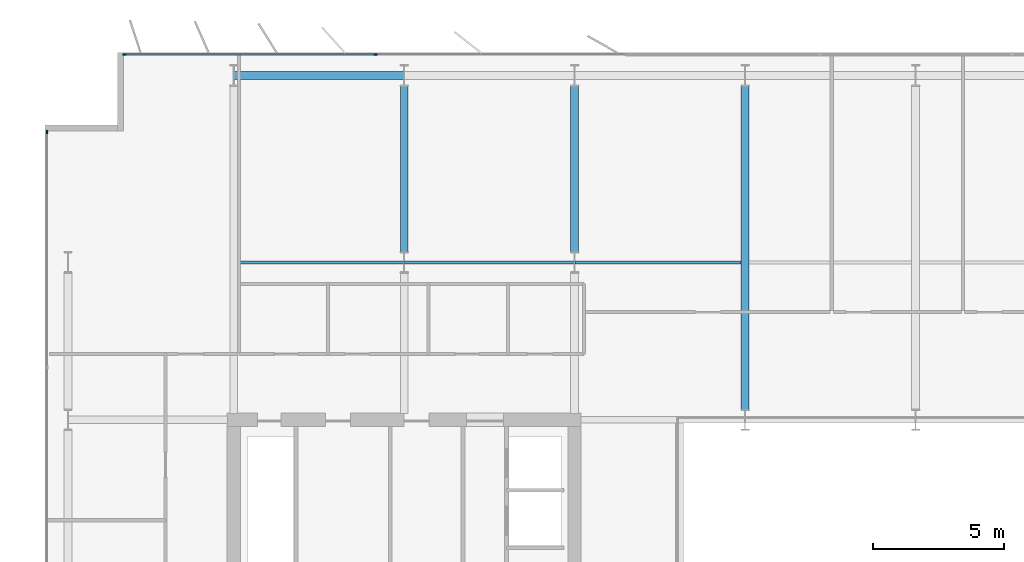
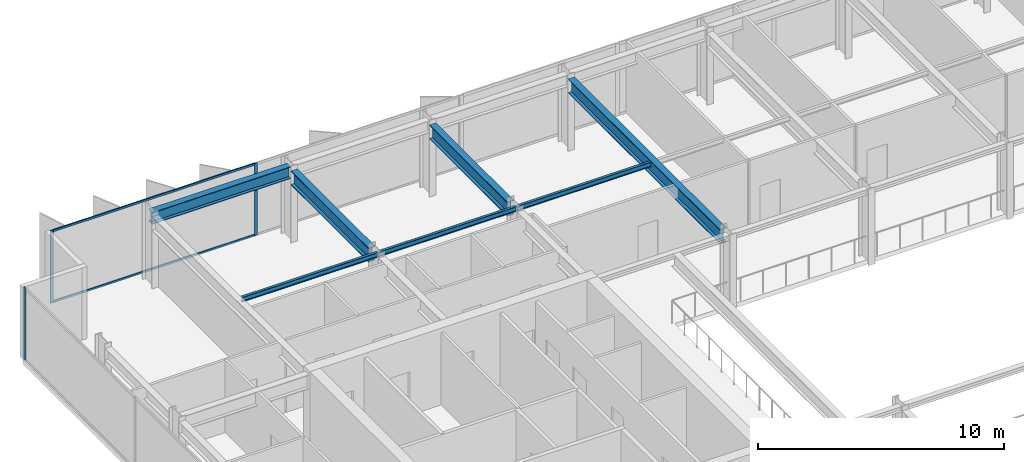
# One storey, part 10 of 23: 7 beams, 5 members, 2 elements without a shape of their own.
"""IFC4 building model written with IfcOpenShell, lengths in metres."""

from ifc_helpers import new_model, si_unit, direction, frame, origin, origin_2d, place, context, subcontext, project, spatial, rectangle, i_section, extrude, material, layer, layer_set, material_profile, profile_set, type_object, element, aggregate, save


model = new_model("IFC4")

# Units and contexts
model_context = context("Model", 3, precision=1e-05, world=origin(), true_north=direction((0.0, 1.0)))
body_context = subcontext(model_context, "Body", "Model", "MODEL_VIEW")
ifc_project = project(units=[si_unit("LENGTHUNIT", "METRE"), si_unit("AREAUNIT", "SQUARE_METRE"), si_unit("VOLUMEUNIT", "CUBIC_METRE"), si_unit("PLANEANGLEUNIT", "RADIAN"), si_unit("MASSUNIT", "GRAM", prefix="KILO")], contexts=[model_context])

# Site, building, storey
site_placement = place(None, origin())
site = spatial("IfcSite", under=ifc_project, at=site_placement, CompositionType="ELEMENT")
building_placement = place(site_placement, origin())
building = spatial("IfcBuilding", under=site, at=building_placement, Name="Putna Gate Headquarters", CompositionType="ELEMENT")
storey_placement = place(building_placement, frame((0.0, 0.0, 232.800048828125)))
storey = spatial("IfcBuildingStorey", under=building, at=storey_placement, Name="L58", CompositionType="ELEMENT", Elevation=232.800048828125)

# Beams
ifc_material_1 = material(Name="Steel S355J2", Category="steel")
ifc_material_profile_1 = material_profile(ifc_material_1, i_section(OverallWidth=0.300048828125, OverallDepth=0.699951171875, WebThickness=0.01708984375, FlangeThickness=0.031982421875, at=origin_2d()), Name="Steel S355J2")
ifc_profile_set_1 = profile_set([ifc_material_profile_1], Name="Steel S355J2")
beam_type_1 = type_object("IfcBeamType", Name="BM-GIRD-B-HEB700", PredefinedType="USERDEFINED", material=ifc_profile_set_1)
for number, where, z_axis, x_axis, name in (
    (1, (19.5, 39.39501953125, 3.22998046875), (0.0, 1.0, 0.0), (-1.0, 0.0, 0.0), "L58 North Primary Girder X19-2"),
    (2, (26.0, 39.39501953125, 3.22998046875), (0.0, 1.0, 0.0), (-1.0, 0.0, 0.0), "L58 North Primary Girder X26-2"),
):
    element("IfcBeam", number, at=place(storey_placement, frame(where, z_axis=z_axis, x_axis=x_axis)), inside=storey, type_object=beam_type_1, Name=name, ObjectType="GIRDER", PredefinedType="USERDEFINED", context=body_context, shape_type="SweptSolid", body=[
        extrude(i_section(OverallWidth=0.300048828125, OverallDepth=0.699951171875, WebThickness=0.01708984375, FlangeThickness=0.031982421875, at=origin_2d()), origin(), (0.0, 0.0, 1.0), 6.330078125),
    ])
beam_1_placement = place(storey_placement, frame((32.5, 33.39501953125, 3.22998046875), z_axis=(0.0, 1.0, 0.0), x_axis=(-1.0, 0.0, 0.0)))
element("IfcBeam", 3, at=beam_1_placement, inside=storey, type_object=beam_type_1, Name="L58 North Primary Girder X32", ObjectType="GIRDER", PredefinedType="USERDEFINED", context=body_context, shape_type="SweptSolid", body=[
    extrude(i_section(OverallWidth=0.300048828125, OverallDepth=0.699951171875, WebThickness=0.01708984375, FlangeThickness=0.031982421875, at=origin_2d()), origin(), (0.0, 0.0, 1.0), 12.330078125),
])
ifc_material_profile_2 = material_profile(ifc_material_1, i_section(OverallWidth=0.1201171875, OverallDepth=0.239990234375, WebThickness=0.006103515625, FlangeThickness=0.009765625, at=origin_2d()), Name="Steel S355J2")
ifc_profile_set_2 = profile_set([ifc_material_profile_2], Name="Steel S355J2")
beam_type_2 = type_object("IfcBeamType", Name="BM-SEC-Z4-IPE240", PredefinedType="JOIST", material=ifc_profile_set_2)
beam_2_placement = place(storey_placement, frame((13.154052734375, 39.0, 3.4599609375), z_axis=(1.0, 0.0, 0.0), x_axis=(0.0, 1.0, 0.0)))
element("IfcBeam", 4, at=beam_2_placement, inside=storey, type_object=beam_type_2, Name="L58 North Secondary Beam 1", PredefinedType="JOIST", context=body_context, shape_type="SweptSolid", body=[
    extrude(i_section(OverallWidth=0.1201171875, OverallDepth=0.239990234375, WebThickness=0.006103515625, FlangeThickness=0.009765625, at=origin_2d()), origin(), (0.0, 0.0, 1.0), 6.33984375),
])
beam_3_placement = place(storey_placement, frame((19.506103515625, 39.0, 3.4599609375), z_axis=(1.0, 0.0, 0.0), x_axis=(0.0, 1.0, 0.0)))
element("IfcBeam", 5, at=beam_3_placement, inside=storey, type_object=beam_type_2, Name="L58 North Secondary Beam 2", PredefinedType="JOIST", context=body_context, shape_type="SweptSolid", body=[
    extrude(i_section(OverallWidth=0.1201171875, OverallDepth=0.239990234375, WebThickness=0.006103515625, FlangeThickness=0.009765625, at=origin_2d()), origin(), (0.0, 0.0, 1.0), 6.48779296875),
])
beam_4_placement = place(storey_placement, frame((26.006103515625, 39.0, 3.4599609375), z_axis=(1.0, 0.0, 0.0), x_axis=(0.0, 1.0, 0.0)))
element("IfcBeam", 6, at=beam_4_placement, inside=storey, type_object=beam_type_2, Name="L58 North Secondary Beam 3", PredefinedType="JOIST", context=body_context, shape_type="SweptSolid", body=[
    extrude(i_section(OverallWidth=0.1201171875, OverallDepth=0.239990234375, WebThickness=0.006103515625, FlangeThickness=0.009765625, at=origin_2d()), origin(), (0.0, 0.0, 1.0), 6.33984375),
])
ifc_material_profile_3 = material_profile(ifc_material_1, i_section(OverallWidth=0.300048828125, OverallDepth=0.590087890625, WebThickness=0.012939453125, FlangeThickness=0.02490234375, at=origin_2d()), Name="Steel S355J2")
ifc_profile_set_3 = profile_set([ifc_material_profile_3], Name="Steel S355J2")
beam_type_3 = type_object("IfcBeamType", Name="BM-SPAN-Z4-HEA600", PredefinedType="SPANDREL", material=ifc_profile_set_3)
beam_5_placement = place(storey_placement, frame((13.006103515625, 46.1201171875, 3.284912109375), z_axis=(1.0, 0.0, 0.0), x_axis=(0.0, 1.0, 0.0)))
element("IfcBeam", 7, at=beam_5_placement, inside=storey, type_object=beam_type_3, Name="L58 N Perimeter Spandrel 1", PredefinedType="SPANDREL", context=body_context, shape_type="SweptSolid", body=[
    extrude(i_section(OverallWidth=0.300048828125, OverallDepth=0.590087890625, WebThickness=0.012939453125, FlangeThickness=0.02490234375, at=origin_2d()), origin(), (0.0, 0.0, 1.0), 6.48779296875),
])

# Curtain wall, members
ifc_material_2 = material(Name="Anodised bronze aluminium curtain wall", Category="aluminium")
ifc_layer = layer(ifc_material_2, 0.139892578125)
ifc_layer_set = layer_set([ifc_layer], Name="Anodised bronze aluminium curtain wall")
curtain_wall_type = type_object("IfcCurtainWallType", Name="CW-SYS-Z4", PredefinedType="USERDEFINED", material=ifc_layer_set)
curtain_wall_1_placement = place(storey_placement, origin())
curtain_wall_1 = element("IfcCurtainWall", 8, at=curtain_wall_1_placement, inside=storey, type_object=curtain_wall_type, Name="L58 North West Curtain Wall", ObjectType="STICK CURTAIN WALL", PredefinedType="USERDEFINED")
ifc_material_3 = material(Name="Anodised bronze aluminium EN AW-6060", Category="aluminium")
ifc_material_profile_4 = material_profile(ifc_material_3, rectangle(XDim=0.06005859375, YDim=0.139892578125, at=origin_2d()), Name="Anodised bronze aluminium EN AW-6060")
ifc_profile_set_4 = profile_set([ifc_material_profile_4], Name="Anodised bronze aluminium EN AW-6060")
member_type_1 = type_object("IfcMemberType", Name="MULL-CWM-4", PredefinedType="MULLION", material=ifc_profile_set_4)
member_1_placement = place(storey_placement, frame((8.830078125, 46.919921875, 0.0), z_axis=(0.0, 0.0, 1.0), x_axis=(0.0, 1.0, 0.0)))
member_1 = element("IfcMember", 9, at=member_1_placement, type_object=member_type_1, Name="CWS-4 mullion 1", PredefinedType="MULLION", context=body_context, shape_type="SweptSolid", body=[
    extrude(rectangle(XDim=0.06005859375, YDim=0.139892578125, at=origin_2d()), origin(), (0.0, 0.0, 1.0), 3.579833984375),
])
member_2_placement = place(storey_placement, frame((18.39990234375, 46.919921875, 0.0), z_axis=(0.0, 0.0, 1.0), x_axis=(0.0, 1.0, 0.0)))
member_2 = element("IfcMember", 10, at=member_2_placement, type_object=member_type_1, Name="CWS-4 mullion 2", PredefinedType="MULLION", context=body_context, shape_type="SweptSolid", body=[
    extrude(rectangle(XDim=0.06005859375, YDim=0.139892578125, at=origin_2d()), origin(), (0.0, 0.0, 1.0), 3.579833984375),
])

# Curtain wall, member
curtain_wall_2_placement = place(storey_placement, origin())
curtain_wall_2 = element("IfcCurtainWall", 11, at=curtain_wall_2_placement, inside=storey, type_object=curtain_wall_type, Name="L58 West Curtain Wall", ObjectType="STICK CURTAIN WALL", PredefinedType="USERDEFINED")
member_3_placement = place(storey_placement, frame((5.8798828125, 43.969970703125, 0.0), z_axis=(0.0, 0.0, 1.0), x_axis=(-1.0, 0.0, 0.0)))
member_3 = element("IfcMember", 12, at=member_3_placement, type_object=member_type_1, Name="CWS-4 mullion 5", PredefinedType="MULLION", context=body_context, shape_type="SweptSolid", body=[
    extrude(rectangle(XDim=0.06005859375, YDim=0.139892578125, at=origin_2d()), origin(), (0.0, 0.0, 1.0), 3.579833984375),
])
aggregate(curtain_wall_2, [member_3])

# Member
ifc_material_profile_5 = material_profile(ifc_material_3, rectangle(XDim=0.06005859375, YDim=0.10009765625, at=origin_2d()), Name="Anodised bronze aluminium EN AW-6060")
ifc_profile_set_5 = profile_set([ifc_material_profile_5], Name="Anodised bronze aluminium EN AW-6060")
member_type_2 = type_object("IfcMemberType", Name="TRAN-CWT-4", PredefinedType="USERDEFINED", material=ifc_profile_set_5)
member_4_placement = place(storey_placement, frame((8.860107421875, 46.919921875, 0.030029296875), z_axis=(1.0, 0.0, 0.0), x_axis=(0.0, 1.0, 0.0)))
member_4 = element("IfcMember", 13, at=member_4_placement, type_object=member_type_2, Name="CWS-4 transom 1.1", ObjectType="TRANSOM", PredefinedType="USERDEFINED", context=body_context, shape_type="SweptSolid", body=[
    extrude(rectangle(XDim=0.06005859375, YDim=0.10009765625, at=origin_2d()), origin(), (0.0, 0.0, 1.0), 9.510009765625),
])

member_5_placement = place(storey_placement, frame((8.860107421875, 46.919921875, 3.550048828125), z_axis=(1.0, 0.0, 0.0), x_axis=(0.0, 1.0, 0.0)))
member_5 = element("IfcMember", 14, at=member_5_placement, type_object=member_type_2, Name="CWS-4 transom 1.2", ObjectType="TRANSOM", PredefinedType="USERDEFINED", context=body_context, shape_type="SweptSolid", body=[
    extrude(rectangle(XDim=0.06005859375, YDim=0.10009765625, at=origin_2d()), origin(), (0.0, 0.0, 1.0), 9.510009765625),
])

aggregate(curtain_wall_1, [member_1, member_2, member_4, member_5])

save(model, "model.ifc")
